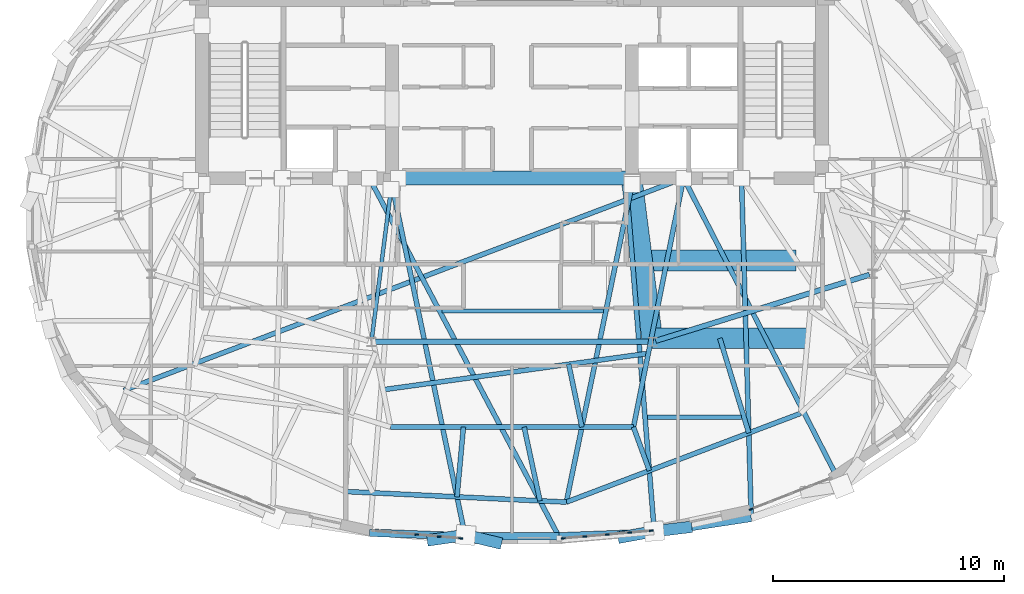
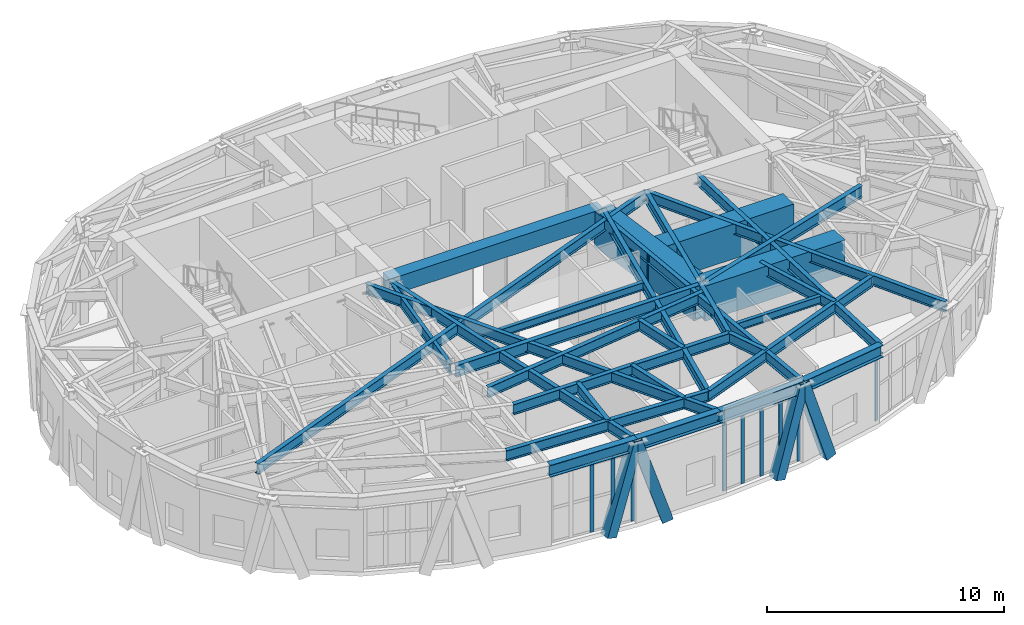
# One storey, part 3 of 15: 30 beams, 13 members, 3 elements without a shape of their own.
"""IFC4 building model written with IfcOpenShell, lengths in metres."""

from ifc_helpers import new_model, si_unit, direction, frame, origin, origin_2d, place, context, subcontext, project, spatial, rectangle, hollow_rectangle, i_section, extrude, material, layer, layer_set, material_profile, profile_set, type_object, element, aggregate, save


model = new_model("IFC4")

# Units and contexts
model_context = context("Model", 3, precision=1e-05, world=origin(), true_north=direction((0.0, 1.0)))
body_context = subcontext(model_context, "Body", "Model", "MODEL_VIEW")
ifc_project = project(units=[si_unit("LENGTHUNIT", "METRE"), si_unit("AREAUNIT", "SQUARE_METRE"), si_unit("VOLUMEUNIT", "CUBIC_METRE"), si_unit("PLANEANGLEUNIT", "RADIAN"), si_unit("MASSUNIT", "GRAM", prefix="KILO")], contexts=[model_context])

# Site, building, storey
site_placement = place(None, origin())
site = spatial("IfcSite", under=ifc_project, at=site_placement, CompositionType="ELEMENT")
building_placement = place(site_placement, origin())
building = spatial("IfcBuilding", under=site, at=building_placement, Name="Keldmark Tower", CompositionType="ELEMENT")
storey_placement = place(building_placement, frame((0.0, 0.0, 260.39990234375)))
storey = spatial("IfcBuildingStorey", under=building, at=storey_placement, Name="L74", CompositionType="ELEMENT", Elevation=260.39990234375)

# Beams
ifc_material_1 = material(Name="Steel ASTM A992 Grade 50", Category="steel")
ifc_material_profile_1 = material_profile(ifc_material_1, i_section(OverallWidth=0.177978515625, OverallDepth=0.403076171875, WebThickness=0.007568359375, FlangeThickness=0.010986328125, at=origin_2d()), Name="W16X36")
ifc_profile_set_1 = profile_set([ifc_material_profile_1], Name="Steel ASTM A992 Grade 50")
beam_type_1 = type_object("IfcBeamType", Name="Composite Floor Joist W16X36", PredefinedType="JOIST", material=ifc_profile_set_1)
beam_1_placement = place(storey_placement, frame((5.858154296875, -8.780029296875, 3.978515625), z_axis=(1.0, 0.0, 0.0), x_axis=(0.0, 1.0, 0.0)))
element("IfcBeam", 1, at=beam_1_placement, inside=storey, type_object=beam_type_1, Name="L74 Composite Floor Joist J02", PredefinedType="JOIST", context=body_context, shape_type="SweptSolid", body=[
    extrude(i_section(OverallWidth=0.177978515625, OverallDepth=0.403076171875, WebThickness=0.007568359375, FlangeThickness=0.010986328125, at=origin_2d()), origin(), (0.0, 0.0, 1.0), 4.088134765625),
])
beam_2_placement = place(storey_placement, frame((-3.026123046875, -4.179931640625, 3.978515625), z_axis=(1.0, 0.0, 0.0), x_axis=(0.0, 1.0, 0.0)))
element("IfcBeam", 2, at=beam_2_placement, inside=storey, type_object=beam_type_1, Name="L74 Composite Floor Joist J04", PredefinedType="JOIST", context=body_context, shape_type="SweptSolid", body=[
    extrude(i_section(OverallWidth=0.177978515625, OverallDepth=0.403076171875, WebThickness=0.007568359375, FlangeThickness=0.010986328125, at=origin_2d()), origin(), (0.0, 0.0, 1.0), 6.993896484375),
])
ifc_material_2 = material(Name="Concrete C50/60", Category="concrete")
ifc_material_profile_2 = material_profile(ifc_material_2, rectangle(XDim=0.60009765625, YDim=0.85009765625, at=origin_2d()), Name="RCB600X850")
ifc_profile_set_2 = profile_set([ifc_material_profile_2], Name="Concrete C50/60")
beam_type_2 = type_object("IfcBeamType", Name="Core Coupling Beam RCB600X850", PredefinedType="USERDEFINED", material=ifc_profile_set_2)
beam_3_placement = place(storey_placement, frame((-5.199951171875, 1.574951171875, 3.755126953125), z_axis=(1.0, 0.0, 0.0), x_axis=(0.0, 1.0, 0.0)))
element("IfcBeam", 3, at=beam_3_placement, inside=storey, type_object=beam_type_2, Name="L74 Central South Core Coupling Beam", ObjectType="COUPLING BEAM", PredefinedType="USERDEFINED", context=body_context, shape_type="SweptSolid", body=[
    extrude(rectangle(XDim=0.60009765625, YDim=0.85009765625, at=origin_2d()), origin(), (0.0, 0.0, 1.0), 10.39990234375),
])

# Curtain wall, members
ifc_material_3 = material(Name="Unitized Thermally Broken Aluminum and Triple Low-E Glazing", Category="aluminium")
ifc_layer = layer(ifc_material_3, 0.219970703125)
ifc_layer_set = layer_set([ifc_layer], Name="Unitized Thermally Broken Aluminum and Triple Low-E Glazing")
curtain_wall_type = type_object("IfcCurtainWallType", Name="Public Observation Lookout Curtain Wall System", PredefinedType="NOTDEFINED", material=ifc_layer_set)
curtain_wall_1_placement = place(storey_placement, origin())
curtain_wall_1 = element("IfcCurtainWall", 4, at=curtain_wall_1_placement, inside=storey, type_object=curtain_wall_type, Name="L74 Public Observation Lookout Curtain Wall System CW-L74-23", PredefinedType="NOTDEFINED")
ifc_material_4 = material(Name="Extruded Aluminum Alloy 6063-T6", Category="aluminium")
ifc_material_profile_3 = material_profile(ifc_material_4, rectangle(XDim=0.06005859375, YDim=0.179931640625, at=origin_2d()), Name="CWM60X180")
ifc_profile_set_3 = profile_set([ifc_material_profile_3], Name="Extruded Aluminum Alloy 6063-T6")
member_type_1 = type_object("IfcMemberType", Name="Curtain Wall Structural Mullion 60x180", PredefinedType="MULLION", material=ifc_profile_set_3)
member_1_placement = place(storey_placement, frame((-2.221923828125, -14.025390625, 0.0), z_axis=(0.0, 0.0, 1.0), x_axis=(-0.086471824043, -0.996254296677, 0.0)))
member_1 = element("IfcMember", 5, at=member_1_placement, type_object=member_type_1, Name="CW mullion 1", PredefinedType="MULLION", context=body_context, shape_type="SweptSolid", body=[
    extrude(rectangle(XDim=0.06005859375, YDim=0.179931640625, at=origin_2d()), origin(), (0.0, 0.0, 1.0), 3.546142578125),
])
member_2_placement = place(storey_placement, frame((-3.1591796875, -13.94384765625, 0.0), z_axis=(0.0, 0.0, 1.0), x_axis=(-0.086471824043, -0.996254296677, 0.0)))
member_2 = element("IfcMember", 6, at=member_2_placement, type_object=member_type_1, Name="CW mullion 2", PredefinedType="MULLION", context=body_context, shape_type="SweptSolid", body=[
    extrude(rectangle(XDim=0.06005859375, YDim=0.179931640625, at=origin_2d()), origin(), (0.0, 0.0, 1.0), 3.546142578125),
])
member_3_placement = place(storey_placement, frame((-4.12646484375, -13.860107421875, 0.0), z_axis=(0.0, 0.0, 1.0), x_axis=(-0.086471824043, -0.996254296677, 0.0)))
member_3 = element("IfcMember", 7, at=member_3_placement, type_object=member_type_1, Name="CW mullion 3", PredefinedType="MULLION", context=body_context, shape_type="SweptSolid", body=[
    extrude(rectangle(XDim=0.06005859375, YDim=0.179931640625, at=origin_2d()), origin(), (0.0, 0.0, 1.0), 3.546142578125),
])
aggregate(curtain_wall_1, [member_1, member_2, member_3])

curtain_wall_2_placement = place(storey_placement, origin())
curtain_wall_2 = element("IfcCurtainWall", 8, at=curtain_wall_2_placement, inside=storey, type_object=curtain_wall_type, Name="L74 Public Observation Lookout Curtain Wall System CW-L74-25", PredefinedType="NOTDEFINED")
member_4_placement = place(storey_placement, frame((6.031005859375, -13.694580078125, 0.0), z_axis=(0.0, 0.0, 1.0), x_axis=(0.086471824043, -0.996254296677, 0.0)))
member_4 = element("IfcMember", 9, at=member_4_placement, type_object=member_type_1, Name="CW mullion 1", PredefinedType="MULLION", context=body_context, shape_type="SweptSolid", body=[
    extrude(rectangle(XDim=0.06005859375, YDim=0.179931640625, at=origin_2d()), origin(), (0.0, 0.0, 1.0), 3.546142578125),
])
member_5_placement = place(storey_placement, frame((5.09375, -13.776123046875, 0.0), z_axis=(0.0, 0.0, 1.0), x_axis=(0.086471824043, -0.996254296677, 0.0)))
member_5 = element("IfcMember", 10, at=member_5_placement, type_object=member_type_1, Name="CW mullion 2", PredefinedType="MULLION", context=body_context, shape_type="SweptSolid", body=[
    extrude(rectangle(XDim=0.06005859375, YDim=0.179931640625, at=origin_2d()), origin(), (0.0, 0.0, 1.0), 3.546142578125),
])
member_6_placement = place(storey_placement, frame((4.12646484375, -13.860107421875, 0.0), z_axis=(0.0, 0.0, 1.0), x_axis=(0.086471824043, -0.996254296677, 0.0)))
member_6 = element("IfcMember", 11, at=member_6_placement, type_object=member_type_1, Name="CW mullion 3", PredefinedType="MULLION", context=body_context, shape_type="SweptSolid", body=[
    extrude(rectangle(XDim=0.06005859375, YDim=0.179931640625, at=origin_2d()), origin(), (0.0, 0.0, 1.0), 3.546142578125),
])
member_7_placement = place(storey_placement, frame((3.1591796875, -13.94384765625, 0.0), z_axis=(0.0, 0.0, 1.0), x_axis=(0.086471824043, -0.996254296677, 0.0)))
member_7 = element("IfcMember", 12, at=member_7_placement, type_object=member_type_1, Name="CW mullion 4", PredefinedType="MULLION", context=body_context, shape_type="SweptSolid", body=[
    extrude(rectangle(XDim=0.06005859375, YDim=0.179931640625, at=origin_2d()), origin(), (0.0, 0.0, 1.0), 3.546142578125),
])
member_8_placement = place(storey_placement, frame((2.221923828125, -14.025390625, 0.0), z_axis=(0.0, 0.0, 1.0), x_axis=(0.086471824043, -0.996254296677, 0.0)))
member_8 = element("IfcMember", 13, at=member_8_placement, type_object=member_type_1, Name="CW mullion 5", PredefinedType="MULLION", context=body_context, shape_type="SweptSolid", body=[
    extrude(rectangle(XDim=0.06005859375, YDim=0.179931640625, at=origin_2d()), origin(), (0.0, 0.0, 1.0), 3.546142578125),
])
aggregate(curtain_wall_2, [member_4, member_5, member_6, member_7, member_8])

# Curtain wall, member
curtain_wall_3_placement = place(storey_placement, origin())
curtain_wall_3 = element("IfcCurtainWall", 14, at=curtain_wall_3_placement, inside=storey, type_object=curtain_wall_type, Name="L74 Public Observation Lookout Curtain Wall System CW-L74-27", PredefinedType="NOTDEFINED")
member_9_placement = place(storey_placement, frame((10.3525390625, -12.763916015625, 0.0), z_axis=(0.0, 0.0, 1.0), x_axis=(0.363381340105, -0.931640489494, 0.0)))
member_9 = element("IfcMember", 15, at=member_9_placement, type_object=member_type_1, Name="CW mullion 5", PredefinedType="MULLION", context=body_context, shape_type="SweptSolid", body=[
    extrude(rectangle(XDim=0.06005859375, YDim=0.179931640625, at=origin_2d()), origin(), (0.0, 0.0, 1.0), 3.546142578125),
])
aggregate(curtain_wall_3, [member_9])

# Members
ifc_material_5 = material(Name="Steel ASTM A572 Grade 50", Category="steel")
ifc_material_profile_4 = material_profile(ifc_material_5, hollow_rectangle(XDim=0.5, YDim=0.5, WallThickness=0.030029296875, at=origin_2d()), Name="BOX500X500X30")
ifc_profile_set_4 = profile_set([ifc_material_profile_4], Name="Steel ASTM A572 Grade 50")
member_type_2 = type_object("IfcMemberType", Name="Diagrid Upper Brace BOX500X500X30", PredefinedType="BRACE", material=ifc_profile_set_4)
member_10_placement = place(storey_placement, frame((-3.436767578125, -14.081787109375, -0.2998046875), z_axis=(0.311154568704, 0.043592473319, 0.949359010409), x_axis=(-0.138744093454, 0.990328267057, 0.0)))
element("IfcMember", 16, at=member_10_placement, inside=storey, type_object=member_type_2, Name="L74 Perimeter Diagrid Brace 12A", PredefinedType="BRACE", context=body_context, shape_type="SweptSolid", body=[
    extrude(hollow_rectangle(XDim=0.5, YDim=0.5, WallThickness=0.030029296875, at=origin_2d()), origin(), (0.0, 0.0, 1.0), 4.592529296875),
])
member_11_placement = place(storey_placement, frame((-0.6845703125, -14.199462890625, -0.2998046875), z_axis=(-0.292008696746, 0.070024401213, 0.953848784797), x_axis=(-0.2331913082, -0.972430878664, 0.0)))
element("IfcMember", 17, at=member_11_placement, inside=storey, type_object=member_type_2, Name="L74 Perimeter Diagrid Brace 12B", PredefinedType="BRACE", context=body_context, shape_type="SweptSolid", body=[
    extrude(hollow_rectangle(XDim=0.5, YDim=0.5, WallThickness=0.030029296875, at=origin_2d()), origin(), (0.0, 0.0, 1.0), 4.57080078125),
])
member_12_placement = place(storey_placement, frame((4.830810546875, -13.95947265625, -0.2998046875), z_axis=(0.291197288209, 0.052580259792, 0.955216967825), x_axis=(-0.177692255929, 0.984086105065, 0.0)))
element("IfcMember", 18, at=member_12_placement, inside=storey, type_object=member_type_2, Name="L74 Perimeter Diagrid Brace 13A", PredefinedType="BRACE", context=body_context, shape_type="SweptSolid", body=[
    extrude(hollow_rectangle(XDim=0.5, YDim=0.5, WallThickness=0.030029296875, at=origin_2d()), origin(), (0.0, 0.0, 1.0), 4.564208984375),
])
member_13_placement = place(storey_placement, frame((7.5537109375, -13.55224609375, -0.2998046875), z_axis=(-0.306617144005, -0.03696235851, 0.951114983089), x_axis=(0.11968241892, -0.992812227262, 0.0)))
element("IfcMember", 19, at=member_13_placement, inside=storey, type_object=member_type_2, Name="L74 Perimeter Diagrid Brace 13B", PredefinedType="BRACE", context=body_context, shape_type="SweptSolid", body=[
    extrude(hollow_rectangle(XDim=0.5, YDim=0.5, WallThickness=0.030029296875, at=origin_2d()), origin(), (0.0, 0.0, 1.0), 4.583984375),
])

# Beams
ifc_material_6 = material(Name="Steel ASTM A572 Grade 50", Category="steel")
ifc_material_profile_5 = material_profile(ifc_material_6, hollow_rectangle(XDim=0.89990234375, YDim=1.800048828125, WallThickness=0.074951171875, at=origin_2d()), Name="TBOX1800X900X75")
ifc_profile_set_5 = profile_set([ifc_material_profile_5], Name="Steel ASTM A572 Grade 50")
beam_type_3 = type_object("IfcBeamType", Name="Perimeter Transfer Box Girder 1800x900", PredefinedType="USERDEFINED", material=ifc_profile_set_5)
beam_4_placement = place(storey_placement, frame((5.199951171875, 1.39990234375, 3.280029296875), z_axis=(0.12764234623, -0.991820261665, 0.0), x_axis=(0.991820261665, 0.12764234623, 0.0)))
element("IfcBeam", 20, at=beam_4_placement, inside=storey, type_object=beam_type_3, Name="L74 Crown Stair Transfer Girder ST4T-W", ObjectType="TRANSFER GIRDER", PredefinedType="USERDEFINED", context=body_context, shape_type="SweptSolid", body=[
    extrude(hollow_rectangle(XDim=0.89990234375, YDim=1.800048828125, WallThickness=0.074951171875, at=origin_2d()), origin(), (0.0, 0.0, 1.0), 6.969970703125),
])
beam_5_placement = place(storey_placement, frame((5.199951171875, -1.989990234375, 3.280029296875), z_axis=(1.0, 0.0, 0.0), x_axis=(0.0, 1.0, 0.0)))
element("IfcBeam", 21, at=beam_5_placement, inside=storey, type_object=beam_type_3, Name="L74 Crown Stair Transfer Girder ST4T-N", ObjectType="TRANSFER GIRDER", PredefinedType="USERDEFINED", context=body_context, shape_type="SweptSolid", body=[
    extrude(hollow_rectangle(XDim=0.89990234375, YDim=1.800048828125, WallThickness=0.074951171875, at=origin_2d()), origin(), (0.0, 0.0, 1.0), 7.110107421875),
])
beam_6_placement = place(storey_placement, frame((6.03515625, -5.360107421875, 3.280029296875), z_axis=(1.0, 0.0, 0.0), x_axis=(0.0, 1.0, 0.0)))
element("IfcBeam", 22, at=beam_6_placement, inside=storey, type_object=beam_type_3, Name="L74 Crown Stair Transfer Girder ST4T-S", ObjectType="TRANSFER GIRDER", PredefinedType="USERDEFINED", context=body_context, shape_type="SweptSolid", body=[
    extrude(hollow_rectangle(XDim=0.89990234375, YDim=1.800048828125, WallThickness=0.074951171875, at=origin_2d()), origin(), (0.0, 0.0, 1.0), 6.81494140625),
])
ifc_material_7 = material(Name="Steel ASTM A992 Grade 50", Category="steel")
ifc_material_profile_6 = material_profile(ifc_material_7, i_section(OverallWidth=0.22802734375, OverallDepth=0.60302734375, WebThickness=0.010498046875, FlangeThickness=0.014892578125, at=origin_2d()), Name="W24X68")
ifc_profile_set_6 = profile_set([ifc_material_profile_6], Name="Steel ASTM A992 Grade 50")
beam_type_4 = type_object("IfcBeamType", Name="Primary Floor Girder W24X68", PredefinedType="BEAM", material=ifc_profile_set_6)
beam_7_placement = place(storey_placement, frame((-5.949462890625, -5.512939453125, 3.878662109375), z_axis=(1.0, 0.0, 0.0), x_axis=(0.0, 1.0, 0.0)))
element("IfcBeam", 23, at=beam_7_placement, inside=storey, type_object=beam_type_4, Name="L74 Floor Ring Girder FG-R09", PredefinedType="BEAM", context=body_context, shape_type="SweptSolid", body=[
    extrude(i_section(OverallWidth=0.22802734375, OverallDepth=0.60302734375, WebThickness=0.010498046875, FlangeThickness=0.014892578125, at=origin_2d()), origin(), (0.0, 0.0, 1.0), 11.89892578125),
])
beam_8_placement = place(storey_placement, frame((6.223388671875, -5.471435546875, 3.878662109375), z_axis=(0.955383255089, 0.295368982622, 0.0), x_axis=(-0.295368982622, 0.955383255089, 0.0)))
element("IfcBeam", 24, at=beam_8_placement, inside=storey, type_object=beam_type_4, Name="L74 Floor Ring Girder FG-R10", PredefinedType="BEAM", context=body_context, shape_type="SweptSolid", body=[
    extrude(i_section(OverallWidth=0.22802734375, OverallDepth=0.60302734375, WebThickness=0.010498046875, FlangeThickness=0.014892578125, at=origin_2d()), origin(), (0.0, 0.0, 1.0), 9.69140625),
])
ifc_material_8 = material(Name="Steel ASTM A992 Grade 50", Category="steel")
ifc_material_profile_7 = material_profile(ifc_material_8, i_section(OverallWidth=0.166015625, OverallDepth=0.529052734375, WebThickness=0.009765625, FlangeThickness=0.013671875, at=origin_2d()), Name="W21X50")
ifc_profile_set_7 = profile_set([ifc_material_profile_7], Name="Steel ASTM A992 Grade 50")
beam_type_5 = type_object("IfcBeamType", Name="Radial Tie Girder W21X50", PredefinedType="BEAM", material=ifc_profile_set_7)
beam_9_placement = place(storey_placement, frame((-6.071533203125, -5.3740234375, 3.91552734375), z_axis=(0.127625044513, 0.991822488157, 0.0), x_axis=(-0.991822488157, 0.127625044513, 0.0)))
element("IfcBeam", 25, at=beam_9_placement, inside=storey, type_object=beam_type_5, Name="L74 Floor Radial Girder FG-C09", PredefinedType="BEAM", context=body_context, shape_type="SweptSolid", body=[
    extrude(i_section(OverallWidth=0.166015625, OverallDepth=0.529052734375, WebThickness=0.009765625, FlangeThickness=0.013671875, at=origin_2d()), origin(), (0.0, 0.0, 1.0), 6.509765625),
])
ifc_material_9 = material(Name="Steel ASTM A992 Grade 50", Category="steel")
ifc_material_profile_8 = material_profile(ifc_material_9, i_section(OverallWidth=0.2099609375, OverallDepth=0.537109375, WebThickness=0.010986328125, FlangeThickness=0.017333984375, at=origin_2d()), Name="W21X68")
ifc_profile_set_8 = profile_set([ifc_material_profile_8], Name="Steel ASTM A992 Grade 50")
beam_type_6 = type_object("IfcBeamType", Name="Radial Tie Girder W21X68", PredefinedType="BEAM", material=ifc_profile_set_8)
beam_10_placement = place(storey_placement, frame((-5.586181640625, -7.58837890625, 3.91162109375), z_axis=(0.990732809824, 0.135825253686, 0.0), x_axis=(-0.135825253686, 0.990732809824, 0.0)))
element("IfcBeam", 26, at=beam_10_placement, inside=storey, type_object=beam_type_6, Name="L74 Framing Pin Header PH-003", PredefinedType="BEAM", context=body_context, shape_type="SweptSolid", body=[
    extrude(i_section(OverallWidth=0.2099609375, OverallDepth=0.537109375, WebThickness=0.010986328125, FlangeThickness=0.017333984375, at=origin_2d()), origin(), (0.0, 0.0, 1.0), 11.59716796875),
])
beam_11_placement = place(storey_placement, frame((7.43212890625, 1.574951171875, 3.91162109375), z_axis=(-0.197477891915, -0.980307340687, 0.0), x_axis=(0.980307340687, -0.197477891915, 0.0)))
element("IfcBeam", 27, at=beam_11_placement, inside=storey, type_object=beam_type_6, Name="L74 Sub-Ring Step Girder STP1-M10", PredefinedType="BEAM", context=body_context, shape_type="SweptSolid", body=[
    extrude(i_section(OverallWidth=0.2099609375, OverallDepth=0.537109375, WebThickness=0.010986328125, FlangeThickness=0.017333984375, at=origin_2d()), origin(), (0.0, 0.0, 1.0), 10.996826171875),
])
beam_12_placement = place(storey_placement, frame((-5.260498046875, -9.205322265625, 3.91162109375), z_axis=(1.0, 0.0, 0.0), x_axis=(0.0, 1.0, 0.0)))
element("IfcBeam", 28, at=beam_12_placement, inside=storey, type_object=beam_type_6, Name="L74 Perimeter Collector Ring Beam CRG1-M09", PredefinedType="BEAM", context=body_context, shape_type="SweptSolid", body=[
    extrude(i_section(OverallWidth=0.2099609375, OverallDepth=0.537109375, WebThickness=0.010986328125, FlangeThickness=0.017333984375, at=origin_2d()), origin(), (0.0, 0.0, 1.0), 10.52099609375),
])
beam_13_placement = place(storey_placement, frame((7.43212890625, 1.574951171875, 3.91162109375), z_axis=(-0.935039843288, -0.354542651122, 0.0), x_axis=(0.354542651122, -0.935039843288, 0.0)))
element("IfcBeam", 29, at=beam_13_placement, inside=storey, type_object=beam_type_6, Name="L74 Sub-Ring Step Girder STP2-M08", PredefinedType="BEAM", context=body_context, shape_type="SweptSolid", body=[
    extrude(i_section(OverallWidth=0.2099609375, OverallDepth=0.537109375, WebThickness=0.010986328125, FlangeThickness=0.017333984375, at=origin_2d()), origin(), (0.0, 0.0, 1.0), 25.921875),
])
beam_14_placement = place(storey_placement, frame((2.456787109375, -6.485595703125, 3.91162109375), z_axis=(0.204810299025, -0.978801686458, 0.0), x_axis=(0.978801686458, 0.204810299025, 0.0)))
element("IfcBeam", 30, at=beam_14_placement, inside=storey, type_object=beam_type_6, Name="L74 Framing Pin Header PH-005", PredefinedType="BEAM", context=body_context, shape_type="SweptSolid", body=[
    extrude(i_section(OverallWidth=0.2099609375, OverallDepth=0.537109375, WebThickness=0.010986328125, FlangeThickness=0.017333984375, at=origin_2d()), origin(), (0.0, 0.0, 1.0), 2.778564453125),
])
beam_15_placement = place(storey_placement, frame((5.199951171875, 1.300048828125, 3.91162109375), z_axis=(-0.202656179521, -0.979249954252, 0.0), x_axis=(0.979249954252, -0.202656179521, 0.0)))
element("IfcBeam", 31, at=beam_15_placement, inside=storey, type_object=beam_type_6, Name="L74 Sub-Ring Step Girder STP2-M10", PredefinedType="BEAM", context=body_context, shape_type="SweptSolid", body=[
    extrude(i_section(OverallWidth=0.2099609375, OverallDepth=0.537109375, WebThickness=0.010986328125, FlangeThickness=0.017333984375, at=origin_2d()), origin(), (0.0, 0.0, 1.0), 14.046875),
])
beam_16_placement = place(storey_placement, frame((-7.220947265625, -11.9970703125, 3.91162109375), z_axis=(0.998856525307, -0.047808386832, 0.0), x_axis=(0.047808386832, 0.998856525307, 0.0)))
element("IfcBeam", 32, at=beam_16_placement, inside=storey, type_object=beam_type_6, Name="L74 Perimeter Collector Ring Beam CRG2-M09", PredefinedType="BEAM", context=body_context, shape_type="SweptSolid", body=[
    extrude(i_section(OverallWidth=0.2099609375, OverallDepth=0.537109375, WebThickness=0.010986328125, FlangeThickness=0.017333984375, at=origin_2d()), origin(), (0.0, 0.0, 1.0), 9.585205078125),
])
beam_17_placement = place(storey_placement, frame((2.353271484375, -12.455322265625, 3.91162109375), z_axis=(0.935162267251, 0.354219612544, 0.0), x_axis=(-0.354219612544, 0.935162267251, 0.0)))
element("IfcBeam", 33, at=beam_17_placement, inside=storey, type_object=beam_type_6, Name="L74 Perimeter Collector Ring Beam CRG2-M10", PredefinedType="BEAM", context=body_context, shape_type="SweptSolid", body=[
    extrude(i_section(OverallWidth=0.2099609375, OverallDepth=0.537109375, WebThickness=0.010986328125, FlangeThickness=0.017333984375, at=origin_2d()), origin(), (0.0, 0.0, 1.0), 10.85546875),
])
beam_18_placement = place(storey_placement, frame((-2.104248046875, -9.205322265625, 3.91162109375), z_axis=(-0.091268001117, -0.995826366377, 0.0), x_axis=(0.995826366377, -0.091268001117, 0.0)))
element("IfcBeam", 34, at=beam_18_placement, inside=storey, type_object=beam_type_6, Name="L74 Framing Pin Header PH-014", PredefinedType="BEAM", context=body_context, shape_type="SweptSolid", body=[
    extrude(i_section(OverallWidth=0.2099609375, OverallDepth=0.537109375, WebThickness=0.010986328125, FlangeThickness=0.017333984375, at=origin_2d()), origin(), (0.0, 0.0, 1.0), 3.0361328125),
])
beam_19_placement = place(storey_placement, frame((-5.199951171875, 1.300048828125, 3.91162109375), z_axis=(0.203954880429, -0.978980289255, 0.0), x_axis=(0.978980289255, 0.203954880429, 0.0)))
element("IfcBeam", 35, at=beam_19_placement, inside=storey, type_object=beam_type_6, Name="L74 Perimeter Radial Tie Girder RT-24", PredefinedType="BEAM", context=body_context, shape_type="SweptSolid", body=[
    extrude(i_section(OverallWidth=0.2099609375, OverallDepth=0.537109375, WebThickness=0.010986328125, FlangeThickness=0.017333984375, at=origin_2d()), origin(), (0.0, 0.0, 1.0), 15.566162109375),
])
beam_20_placement = place(storey_placement, frame((0.526123046875, -9.205322265625, 3.91162109375), z_axis=(0.209773971516, -0.977749907121, 0.0), x_axis=(0.977749907121, 0.209773971516, 0.0)))
element("IfcBeam", 36, at=beam_20_placement, inside=storey, type_object=beam_type_6, Name="L74 Framing Pin Header PH-015", PredefinedType="BEAM", context=body_context, shape_type="SweptSolid", body=[
    extrude(i_section(OverallWidth=0.2099609375, OverallDepth=0.537109375, WebThickness=0.010986328125, FlangeThickness=0.017333984375, at=origin_2d()), origin(), (0.0, 0.0, 1.0), 3.26806640625),
])
beam_21_placement = place(storey_placement, frame((-6.1787109375, 1.574951171875, 3.91162109375), z_axis=(0.467469644955, -0.884009123848, 0.0), x_axis=(0.884009123848, 0.467469644955, 0.0)))
element("IfcBeam", 37, at=beam_21_placement, inside=storey, type_object=beam_type_6, Name="L74 Perimeter Radial Tie Girder RT-25", PredefinedType="BEAM", context=body_context, shape_type="SweptSolid", body=[
    extrude(i_section(OverallWidth=0.2099609375, OverallDepth=0.537109375, WebThickness=0.010986328125, FlangeThickness=0.017333984375, at=origin_2d()), origin(), (0.0, 0.0, 1.0), 17.549560546875),
])
beam_22_placement = place(storey_placement, frame((5.260498046875, -9.205322265625, 3.91162109375), z_axis=(0.342455003404, -0.939534230693, 0.0), x_axis=(0.939534230693, 0.342455003404, 0.0)))
element("IfcBeam", 38, at=beam_22_placement, inside=storey, type_object=beam_type_6, Name="L74 Framing Pin Header PH-016", PredefinedType="BEAM", context=body_context, shape_type="SweptSolid", body=[
    extrude(i_section(OverallWidth=0.2099609375, OverallDepth=0.537109375, WebThickness=0.010986328125, FlangeThickness=0.017333984375, at=origin_2d()), origin(), (0.0, 0.0, 1.0), 2.009765625),
])
beam_23_placement = place(storey_placement, frame((4.925048828125, 1.574951171875, 3.91162109375), z_axis=(0.080543939235, -0.996751059118, 0.0), x_axis=(0.996751059118, 0.080543939235, 0.0)))
element("IfcBeam", 39, at=beam_23_placement, inside=storey, type_object=beam_type_6, Name="L74 Perimeter Radial Tie Girder RT-26", PredefinedType="BEAM", context=body_context, shape_type="SweptSolid", body=[
    extrude(i_section(OverallWidth=0.2099609375, OverallDepth=0.537109375, WebThickness=0.010986328125, FlangeThickness=0.017333984375, at=origin_2d()), origin(), (0.0, 0.0, 1.0), 15.404296875),
])
beam_24_placement = place(storey_placement, frame((9.0, -5.360107421875, 3.91162109375), z_axis=(0.292705776247, -0.956202556236, 0.0), x_axis=(0.956202556236, 0.292705776247, 0.0)))
element("IfcBeam", 40, at=beam_24_placement, inside=storey, type_object=beam_type_6, Name="L74 Framing Pin Header PH-017", PredefinedType="BEAM", context=body_context, shape_type="SweptSolid", body=[
    extrude(i_section(OverallWidth=0.2099609375, OverallDepth=0.537109375, WebThickness=0.010986328125, FlangeThickness=0.017333984375, at=origin_2d()), origin(), (0.0, 0.0, 1.0), 4.289794921875),
])
beam_25_placement = place(storey_placement, frame((9.939208984375, 1.574951171875, 3.91162109375), z_axis=(0.028655403234, -0.999589349616, 0.0), x_axis=(0.999589349616, 0.028655403234, 0.0)))
element("IfcBeam", 41, at=beam_25_placement, inside=storey, type_object=beam_type_6, Name="L74 Perimeter Radial Tie Girder RT-27", PredefinedType="BEAM", context=body_context, shape_type="SweptSolid", body=[
    extrude(i_section(OverallWidth=0.2099609375, OverallDepth=0.537109375, WebThickness=0.010986328125, FlangeThickness=0.017333984375, at=origin_2d()), origin(), (0.0, 0.0, 1.0), 14.722412109375),
])
beam_26_placement = place(storey_placement, frame((7.43212890625, 1.574951171875, 3.91162109375), z_axis=(0.45679775073, -0.889570578947, 0.0), x_axis=(0.889570578947, 0.45679775073, 0.0)))
element("IfcBeam", 42, at=beam_26_placement, inside=storey, type_object=beam_type_6, Name="L74 Perimeter Radial Tie Girder RT-28", PredefinedType="BEAM", context=body_context, shape_type="SweptSolid", body=[
    extrude(i_section(OverallWidth=0.2099609375, OverallDepth=0.537109375, WebThickness=0.010986328125, FlangeThickness=0.017333984375, at=origin_2d()), origin(), (0.0, 0.0, 1.0), 15.06005859375),
])
ifc_material_10 = material(Name="Steel ASTM A992 Grade 50", Category="steel")
ifc_material_profile_9 = material_profile(ifc_material_10, i_section(OverallWidth=0.326904296875, OverallDepth=0.6220703125, WebThickness=0.015380859375, FlangeThickness=0.0244140625, at=origin_2d()), Name="W24X131")
ifc_profile_set_9 = profile_set([ifc_material_profile_9], Name="Steel ASTM A992 Grade 50")
beam_type_7 = type_object("IfcBeamType", Name="Spandrel Ring Beam W24X131", PredefinedType="SPANDREL", material=ifc_profile_set_9)
beam_27_placement = place(storey_placement, frame((-6.165771484375, -13.779296875, 3.869140625), z_axis=(0.999257340406, -0.03853268282, 0.0), x_axis=(0.03853268282, 0.999257340406, 0.0)))
element("IfcBeam", 43, at=beam_27_placement, inside=storey, type_object=beam_type_7, Name="L74 Perimeter Spandrel Ring Beam SRB-23", PredefinedType="SPANDREL", context=body_context, shape_type="SweptSolid", body=[
    extrude(i_section(OverallWidth=0.326904296875, OverallDepth=0.6220703125, WebThickness=0.015380859375, FlangeThickness=0.0244140625, at=origin_2d()), origin(), (0.0, 0.0, 1.0), 4.143798828125),
])
beam_28_placement = place(storey_placement, frame((-2.025146484375, -13.93896484375, 3.869140625), z_axis=(1.0, 0.0, 0.0), x_axis=(0.0, 1.0, 0.0)))
element("IfcBeam", 44, at=beam_28_placement, inside=storey, type_object=beam_type_7, Name="L74 Perimeter Spandrel Ring Beam SRB-24", PredefinedType="SPANDREL", context=body_context, shape_type="SweptSolid", body=[
    extrude(i_section(OverallWidth=0.326904296875, OverallDepth=0.6220703125, WebThickness=0.015380859375, FlangeThickness=0.0244140625, at=origin_2d()), origin(), (0.0, 0.0, 1.0), 4.05029296875),
])
beam_29_placement = place(storey_placement, frame((2.025146484375, -13.93896484375, 3.869140625), z_axis=(0.999257340406, 0.03853268282, 0.0), x_axis=(-0.03853268282, 0.999257340406, 0.0)))
element("IfcBeam", 45, at=beam_29_placement, inside=storey, type_object=beam_type_7, Name="L74 Perimeter Spandrel Ring Beam SRB-25", PredefinedType="SPANDREL", context=body_context, shape_type="SweptSolid", body=[
    extrude(i_section(OverallWidth=0.326904296875, OverallDepth=0.6220703125, WebThickness=0.015380859375, FlangeThickness=0.0244140625, at=origin_2d()), origin(), (0.0, 0.0, 1.0), 4.143798828125),
])
beam_30_placement = place(storey_placement, frame((6.165771484375, -13.779296875, 3.869140625), z_axis=(0.988635572728, 0.15033198042, 0.0), x_axis=(-0.15033198042, 0.988635572728, 0.0)))
element("IfcBeam", 46, at=beam_30_placement, inside=storey, type_object=beam_type_7, Name="L74 Perimeter Spandrel Ring Beam SRB-26", PredefinedType="SPANDREL", context=body_context, shape_type="SweptSolid", body=[
    extrude(i_section(OverallWidth=0.326904296875, OverallDepth=0.6220703125, WebThickness=0.015380859375, FlangeThickness=0.0244140625, at=origin_2d()), origin(), (0.0, 0.0, 1.0), 4.24365234375),
])

save(model, "model.ifc")
